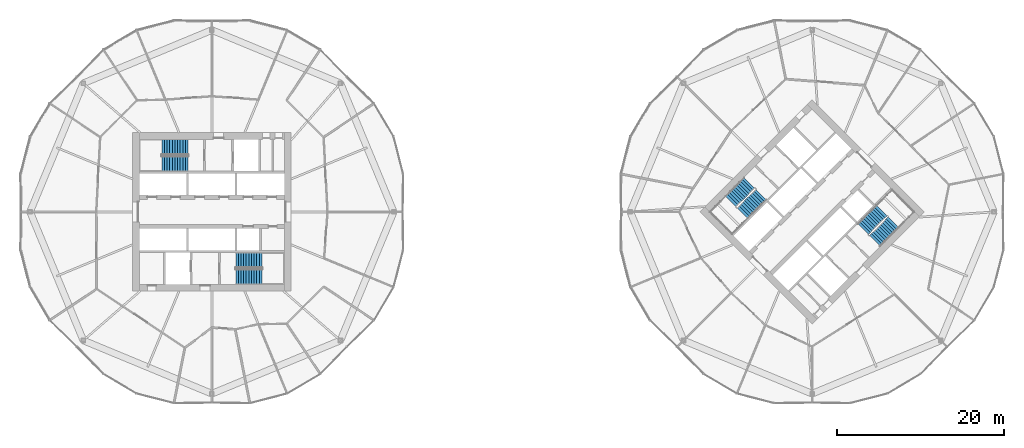
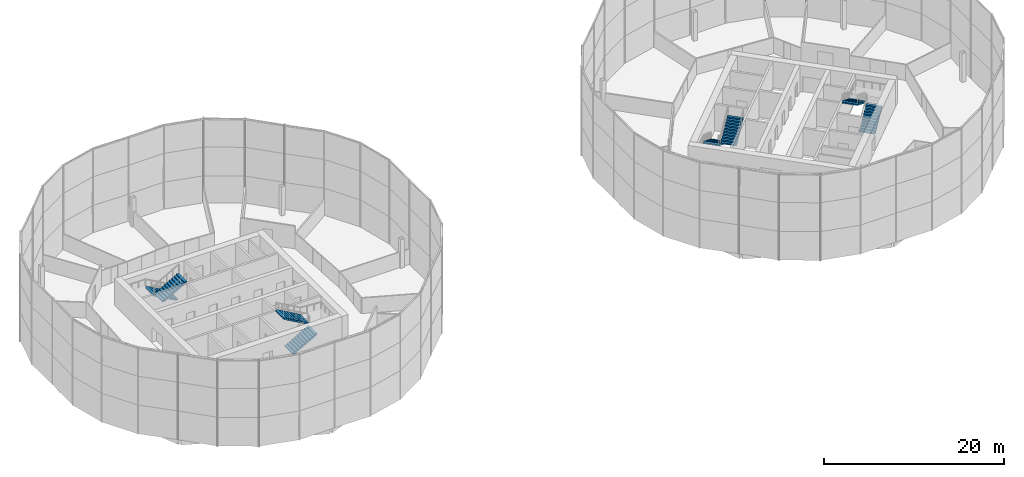
# One storey, part 24 of 25: 8 stair flights, 4 elements without a shape of their own.
"""IFC4 building model written with IfcOpenShell, lengths in metres."""

from ifc_helpers import new_model, si_unit, direction, frame, origin, place, context, subcontext, project, spatial, polyline, outline, extrude, material, type_object, element, aggregate, save


model = new_model("IFC4")

# Units and contexts
model_context = context("Model", 3, precision=1e-05, world=origin(), true_north=direction((0.0, 1.0)))
body_context = subcontext(model_context, "Body", "Model", "MODEL_VIEW")
ifc_project = project(units=[si_unit("LENGTHUNIT", "METRE"), si_unit("AREAUNIT", "SQUARE_METRE"), si_unit("VOLUMEUNIT", "CUBIC_METRE"), si_unit("PLANEANGLEUNIT", "RADIAN"), si_unit("MASSUNIT", "GRAM", prefix="KILO")], contexts=[model_context])

# Site, building, storey
site_placement = place(None, origin())
site = spatial("IfcSite", under=ifc_project, at=site_placement, CompositionType="ELEMENT")
building_placement = place(site_placement, origin())
building = spatial("IfcBuilding", under=site, at=building_placement, Name="Ogive Gate Towers", CompositionType="ELEMENT")
storey_placement = place(building_placement, frame((0.0, 0.0, 44.10009765625)))
storey = spatial("IfcBuildingStorey", under=building, at=storey_placement, Name="L09", CompositionType="ELEMENT", Elevation=44.10009765625)

# Stair, stair flights
ifc_material = material(Name="Concrete C40/50", Category="concrete")
stair_type = type_object("IfcStairType", Name="Escape stair 1840 wide", PredefinedType="HALF_TURN_STAIR", material=ifc_material)
stair_1_placement = place(storey_placement, origin())
stair_1 = element("IfcStair", 1, at=stair_1_placement, inside=storey, type_object=stair_type, Name="L09 Escape stair 1", PredefinedType="HALF_TURN_STAIR")
stair_flight_type = type_object("IfcStairFlightType", Name="Stair flight 1840 wide", PredefinedType="STRAIGHT", material=ifc_material)
stair_flight_1_placement = place(storey_placement, frame((-38.864990234375, 7.780029296875, 0.0), z_axis=(0.0, 0.0, 1.0), x_axis=(-1.0, 0.0, 0.0)))
stair_flight_1 = element("IfcStairFlight", 2, at=stair_flight_1_placement, type_object=stair_flight_type, Name="ST1 flight 1", NumberOfRisers=11, NumberOfTreads=10, PredefinedType="STRAIGHT", RiserHeight=0.177272727, TreadLength=0.313636364, context=body_context, shape_type="SweptSolid", body=[
    extrude(outline(polyline([(0.0, 0.0), (0.0, 0.17724609375), (0.313720703125, 0.17724609375), (0.313720703125, 0.3544921875), (0.627197265625, 0.3544921875), (0.627197265625, 0.53173828125), (0.94091796875, 0.53173828125), (0.94091796875, 0.708984375), (1.254638671875, 0.708984375), (1.254638671875, 0.886474609375), (1.568115234375, 0.886474609375), (1.568115234375, 1.063720703125), (1.8818359375, 1.063720703125), (1.8818359375, 1.240966796875), (2.195556640625, 1.240966796875), (2.195556640625, 1.418212890625), (2.509033203125, 1.418212890625), (2.509033203125, 1.595458984375), (2.82275390625, 1.595458984375), (2.82275390625, 1.772705078125), (3.136474609375, 1.772705078125), (3.136474609375, 1.949951171875), (3.136474609375, 1.6005859375), (0.3046875, 0.0), (0.0, 0.0)])), frame((0.0, 0.919921875, 0.0), z_axis=(0.0, -1.0, 0.0), x_axis=(1.0, 0.0, 0.0)), (0.0, 0.0, 1.0), 1.840087890625),
])
stair_flight_2_placement = place(storey_placement, frame((-42.00146484375, 5.794921875, 1.949951171875), z_axis=(0.0, 0.0, 1.0), x_axis=(1.0, 0.0, 0.0)))
stair_flight_2 = element("IfcStairFlight", 3, at=stair_flight_2_placement, type_object=stair_flight_type, Name="ST1 flight 2", NumberOfRisers=11, NumberOfTreads=10, PredefinedType="STRAIGHT", RiserHeight=0.177272727, TreadLength=0.313636364, context=body_context, shape_type="SweptSolid", body=[
    extrude(outline(polyline([(0.0, 0.0), (0.0, 0.17724609375), (0.313720703125, 0.17724609375), (0.313720703125, 0.3544921875), (0.627197265625, 0.3544921875), (0.627197265625, 0.53173828125), (0.94091796875, 0.53173828125), (0.94091796875, 0.708984375), (1.254638671875, 0.708984375), (1.254638671875, 0.886474609375), (1.568115234375, 0.886474609375), (1.568115234375, 1.063720703125), (1.8818359375, 1.063720703125), (1.8818359375, 1.240966796875), (2.195556640625, 1.240966796875), (2.195556640625, 1.418212890625), (2.509033203125, 1.418212890625), (2.509033203125, 1.595458984375), (2.82275390625, 1.595458984375), (2.82275390625, 1.772705078125), (3.136474609375, 1.772705078125), (3.136474609375, 1.949951171875), (3.136474609375, 1.6005859375), (0.3046875, 0.0), (0.0, 0.0)])), frame((0.0, 0.919921875, 0.0), z_axis=(0.0, -1.0, 0.0), x_axis=(1.0, 0.0, 0.0)), (0.0, 0.0, 1.0), 1.840087890625),
])
aggregate(stair_1, [stair_flight_1, stair_flight_2])

stair_2_placement = place(storey_placement, origin())
stair_2 = element("IfcStair", 4, at=stair_2_placement, inside=storey, type_object=stair_type, Name="L09 Escape stair 2", PredefinedType="HALF_TURN_STAIR")
stair_flight_3_placement = place(storey_placement, frame((-33.135009765625, -7.780029296875, 0.0), z_axis=(0.0, 0.0, 1.0), x_axis=(1.0, 0.0, 0.0)))
stair_flight_3 = element("IfcStairFlight", 5, at=stair_flight_3_placement, type_object=stair_flight_type, Name="ST2 flight 1", NumberOfRisers=11, NumberOfTreads=10, PredefinedType="STRAIGHT", RiserHeight=0.177272727, TreadLength=0.313636364, context=body_context, shape_type="SweptSolid", body=[
    extrude(outline(polyline([(0.0, 0.0), (0.0, 0.17724609375), (0.313720703125, 0.17724609375), (0.313720703125, 0.3544921875), (0.627197265625, 0.3544921875), (0.627197265625, 0.53173828125), (0.94091796875, 0.53173828125), (0.94091796875, 0.708984375), (1.254638671875, 0.708984375), (1.254638671875, 0.886474609375), (1.568115234375, 0.886474609375), (1.568115234375, 1.063720703125), (1.8818359375, 1.063720703125), (1.8818359375, 1.240966796875), (2.195556640625, 1.240966796875), (2.195556640625, 1.418212890625), (2.509033203125, 1.418212890625), (2.509033203125, 1.595458984375), (2.82275390625, 1.595458984375), (2.82275390625, 1.772705078125), (3.136474609375, 1.772705078125), (3.136474609375, 1.949951171875), (3.136474609375, 1.6005859375), (0.3046875, 0.0), (0.0, 0.0)])), frame((0.0, 0.919921875, 0.0), z_axis=(0.0, -1.0, 0.0), x_axis=(1.0, 0.0, 0.0)), (0.0, 0.0, 1.0), 1.840087890625),
])
stair_flight_4_placement = place(storey_placement, frame((-29.99853515625, -5.794921875, 1.949951171875), z_axis=(0.0, 0.0, 1.0), x_axis=(-1.0, 0.0, 0.0)))
stair_flight_4 = element("IfcStairFlight", 6, at=stair_flight_4_placement, type_object=stair_flight_type, Name="ST2 flight 2", NumberOfRisers=11, NumberOfTreads=10, PredefinedType="STRAIGHT", RiserHeight=0.177272727, TreadLength=0.313636364, context=body_context, shape_type="SweptSolid", body=[
    extrude(outline(polyline([(0.0, 0.0), (0.0, 0.17724609375), (0.313720703125, 0.17724609375), (0.313720703125, 0.3544921875), (0.627197265625, 0.3544921875), (0.627197265625, 0.53173828125), (0.94091796875, 0.53173828125), (0.94091796875, 0.708984375), (1.254638671875, 0.708984375), (1.254638671875, 0.886474609375), (1.568115234375, 0.886474609375), (1.568115234375, 1.063720703125), (1.8818359375, 1.063720703125), (1.8818359375, 1.240966796875), (2.195556640625, 1.240966796875), (2.195556640625, 1.418212890625), (2.509033203125, 1.418212890625), (2.509033203125, 1.595458984375), (2.82275390625, 1.595458984375), (2.82275390625, 1.772705078125), (3.136474609375, 1.772705078125), (3.136474609375, 1.949951171875), (3.136474609375, 1.6005859375), (0.3046875, 0.0), (0.0, 0.0)])), frame((0.0, 0.919921875, 0.0), z_axis=(0.0, -1.0, 0.0), x_axis=(1.0, 0.0, 0.0)), (0.0, 0.0, 1.0), 1.840087890625),
])
aggregate(stair_2, [stair_flight_3, stair_flight_4])

stair_3_placement = place(storey_placement, origin())
stair_3 = element("IfcStair", 7, at=stair_3_placement, inside=storey, type_object=stair_type, Name="L09 Escape stair 1", PredefinedType="HALF_TURN_STAIR")
stair_flight_5_placement = place(storey_placement, frame((28.472900390625, 3.475341796875, 0.0), z_axis=(0.0, 0.0, 1.0), x_axis=(-0.707106781187, -0.707106781187, 0.0)))
stair_flight_5 = element("IfcStairFlight", 8, at=stair_flight_5_placement, type_object=stair_flight_type, Name="ST1 flight 1", NumberOfRisers=11, NumberOfTreads=10, PredefinedType="STRAIGHT", RiserHeight=0.177272727, TreadLength=0.313636364, context=body_context, shape_type="SweptSolid", body=[
    extrude(outline(polyline([(0.0, 0.0), (0.0, 0.17724609375), (0.313720703125, 0.17724609375), (0.313720703125, 0.3544921875), (0.627197265625, 0.3544921875), (0.627197265625, 0.53173828125), (0.94091796875, 0.53173828125), (0.94091796875, 0.708984375), (1.254638671875, 0.708984375), (1.254638671875, 0.886474609375), (1.568115234375, 0.886474609375), (1.568115234375, 1.063720703125), (1.8818359375, 1.063720703125), (1.8818359375, 1.240966796875), (2.195556640625, 1.240966796875), (2.195556640625, 1.418212890625), (2.509033203125, 1.418212890625), (2.509033203125, 1.595458984375), (2.82275390625, 1.595458984375), (2.82275390625, 1.772705078125), (3.136474609375, 1.772705078125), (3.136474609375, 1.949951171875), (3.136474609375, 1.6005859375), (0.3046875, 0.0), (0.0, 0.0)])), frame((0.0, 0.919921875, 0.0), z_axis=(0.0, -1.0, 0.0), x_axis=(1.0, 0.0, 0.0)), (0.0, 0.0, 1.0), 1.840087890625),
])
stair_flight_6_placement = place(storey_placement, frame((27.65869140625, -0.14599609375, 1.949951171875), z_axis=(0.0, 0.0, 1.0), x_axis=(0.707106781187, 0.707106781187, 0.0)))
stair_flight_6 = element("IfcStairFlight", 9, at=stair_flight_6_placement, type_object=stair_flight_type, Name="ST1 flight 2", NumberOfRisers=11, NumberOfTreads=10, PredefinedType="STRAIGHT", RiserHeight=0.177272727, TreadLength=0.313636364, context=body_context, shape_type="SweptSolid", body=[
    extrude(outline(polyline([(0.0, 0.0), (0.0, 0.17724609375), (0.313720703125, 0.17724609375), (0.313720703125, 0.3544921875), (0.627197265625, 0.3544921875), (0.627197265625, 0.53173828125), (0.94091796875, 0.53173828125), (0.94091796875, 0.708984375), (1.254638671875, 0.708984375), (1.254638671875, 0.886474609375), (1.568115234375, 0.886474609375), (1.568115234375, 1.063720703125), (1.8818359375, 1.063720703125), (1.8818359375, 1.240966796875), (2.195556640625, 1.240966796875), (2.195556640625, 1.418212890625), (2.509033203125, 1.418212890625), (2.509033203125, 1.595458984375), (2.82275390625, 1.595458984375), (2.82275390625, 1.772705078125), (3.136474609375, 1.772705078125), (3.136474609375, 1.949951171875), (3.136474609375, 1.6005859375), (0.3046875, 0.0), (0.0, 0.0)])), frame((0.0, 0.919921875, 0.0), z_axis=(0.0, -1.0, 0.0), x_axis=(1.0, 0.0, 0.0)), (0.0, 0.0, 1.0), 1.840087890625),
])
aggregate(stair_3, [stair_flight_5, stair_flight_6])

stair_4_placement = place(storey_placement, origin())
stair_4 = element("IfcStair", 10, at=stair_4_placement, inside=storey, type_object=stair_type, Name="L09 Escape stair 2", PredefinedType="HALF_TURN_STAIR")
stair_flight_7_placement = place(storey_placement, frame((43.527099609375, -3.475341796875, 0.0), z_axis=(0.0, 0.0, 1.0), x_axis=(0.707106781187, 0.707106781187, 0.0)))
stair_flight_7 = element("IfcStairFlight", 11, at=stair_flight_7_placement, type_object=stair_flight_type, Name="ST2 flight 1", NumberOfRisers=11, NumberOfTreads=10, PredefinedType="STRAIGHT", RiserHeight=0.177272727, TreadLength=0.313636364, context=body_context, shape_type="SweptSolid", body=[
    extrude(outline(polyline([(0.0, 0.0), (0.0, 0.17724609375), (0.313720703125, 0.17724609375), (0.313720703125, 0.3544921875), (0.627197265625, 0.3544921875), (0.627197265625, 0.53173828125), (0.94091796875, 0.53173828125), (0.94091796875, 0.708984375), (1.254638671875, 0.708984375), (1.254638671875, 0.886474609375), (1.568115234375, 0.886474609375), (1.568115234375, 1.063720703125), (1.8818359375, 1.063720703125), (1.8818359375, 1.240966796875), (2.195556640625, 1.240966796875), (2.195556640625, 1.418212890625), (2.509033203125, 1.418212890625), (2.509033203125, 1.595458984375), (2.82275390625, 1.595458984375), (2.82275390625, 1.772705078125), (3.136474609375, 1.772705078125), (3.136474609375, 1.949951171875), (3.136474609375, 1.6005859375), (0.3046875, 0.0), (0.0, 0.0)])), frame((0.0, 0.919921875, 0.0), z_axis=(0.0, -1.0, 0.0), x_axis=(1.0, 0.0, 0.0)), (0.0, 0.0, 1.0), 1.840087890625),
])
stair_flight_8_placement = place(storey_placement, frame((44.34130859375, 0.14599609375, 1.949951171875), z_axis=(0.0, 0.0, 1.0), x_axis=(-0.707106781187, -0.707106781187, 0.0)))
stair_flight_8 = element("IfcStairFlight", 12, at=stair_flight_8_placement, type_object=stair_flight_type, Name="ST2 flight 2", NumberOfRisers=11, NumberOfTreads=10, PredefinedType="STRAIGHT", RiserHeight=0.177272727, TreadLength=0.313636364, context=body_context, shape_type="SweptSolid", body=[
    extrude(outline(polyline([(0.0, 0.0), (0.0, 0.17724609375), (0.313720703125, 0.17724609375), (0.313720703125, 0.3544921875), (0.627197265625, 0.3544921875), (0.627197265625, 0.53173828125), (0.94091796875, 0.53173828125), (0.94091796875, 0.708984375), (1.254638671875, 0.708984375), (1.254638671875, 0.886474609375), (1.568115234375, 0.886474609375), (1.568115234375, 1.063720703125), (1.8818359375, 1.063720703125), (1.8818359375, 1.240966796875), (2.195556640625, 1.240966796875), (2.195556640625, 1.418212890625), (2.509033203125, 1.418212890625), (2.509033203125, 1.595458984375), (2.82275390625, 1.595458984375), (2.82275390625, 1.772705078125), (3.136474609375, 1.772705078125), (3.136474609375, 1.949951171875), (3.136474609375, 1.6005859375), (0.3046875, 0.0), (0.0, 0.0)])), frame((0.0, 0.919921875, 0.0), z_axis=(0.0, -1.0, 0.0), x_axis=(1.0, 0.0, 0.0)), (0.0, 0.0, 1.0), 1.840087890625),
])
aggregate(stair_4, [stair_flight_7, stair_flight_8])

save(model, "model.ifc")
